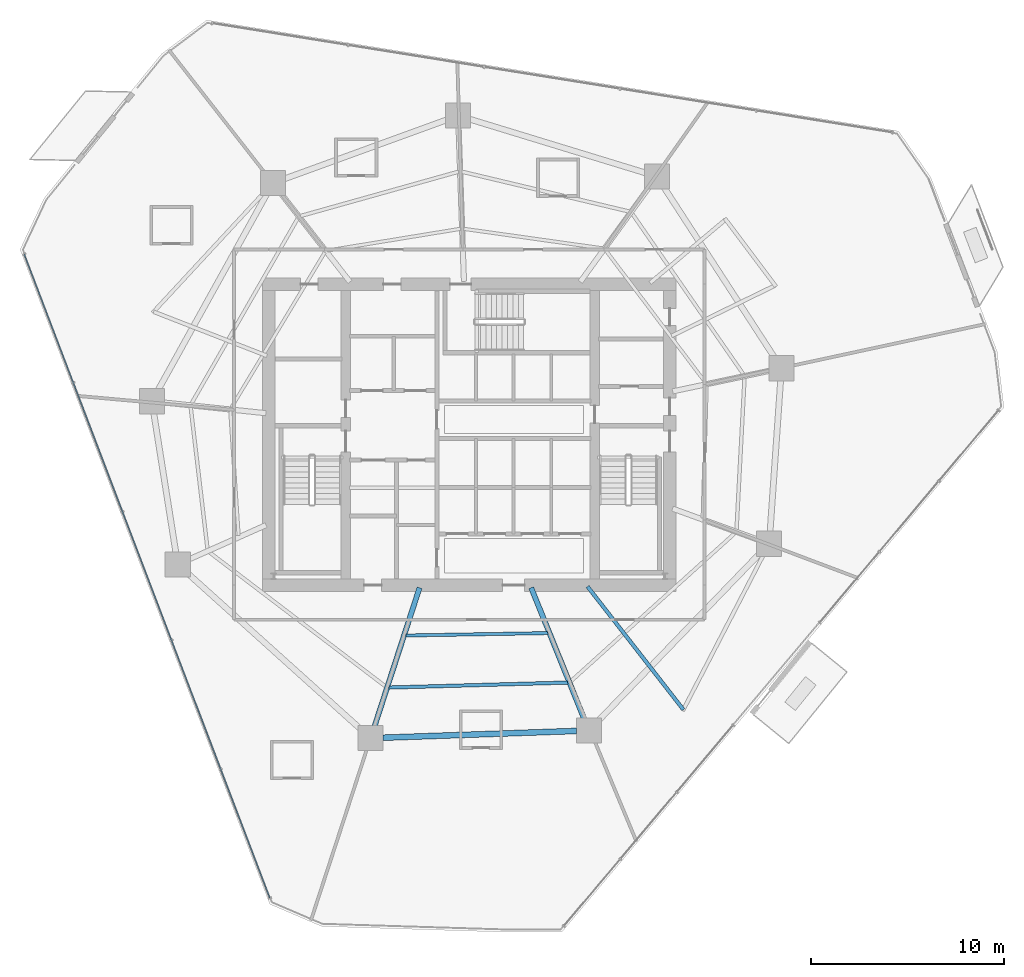
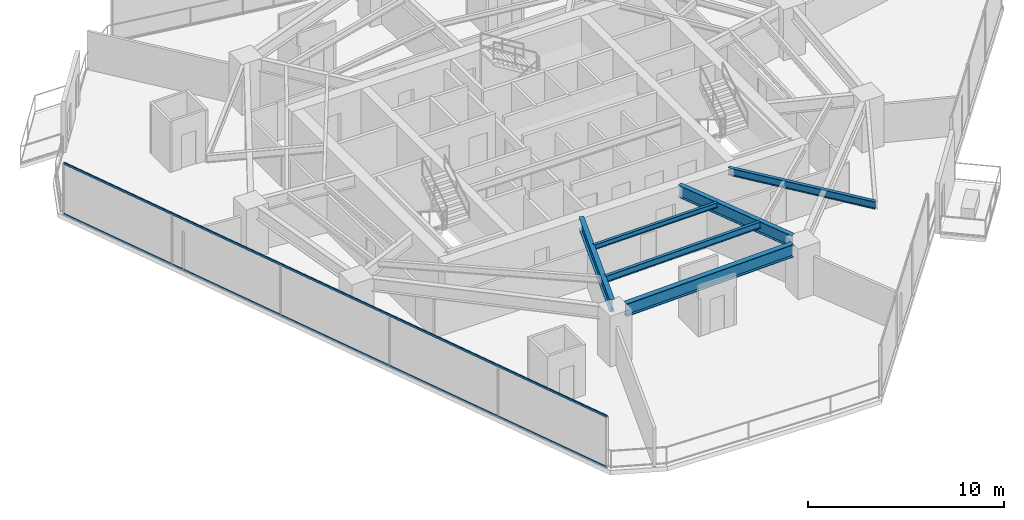
# One storey, part 6 of 31: 6 beams, 2 members, 1 element without a shape of its own.
"""IFC4 building model written with IfcOpenShell, lengths in metres."""

from ifc_helpers import new_model, si_unit, direction, frame, origin, origin_2d, place, context, subcontext, project, spatial, hollow_rectangle, i_section, extrude, material, layer, layer_set, material_profile, profile_set, type_object, element, aggregate, save


model = new_model("IFC4")

# Units and contexts
model_context = context("Model", 3, precision=1e-05, world=origin(), true_north=direction((0.0, 1.0)))
body_context = subcontext(model_context, "Body", "Model", "MODEL_VIEW")
ifc_project = project(units=[si_unit("LENGTHUNIT", "METRE"), si_unit("AREAUNIT", "SQUARE_METRE"), si_unit("VOLUMEUNIT", "CUBIC_METRE"), si_unit("PLANEANGLEUNIT", "RADIAN"), si_unit("MASSUNIT", "GRAM", prefix="KILO")], contexts=[model_context])

# Site, building, storey
site_placement = place(None, origin())
site = spatial("IfcSite", under=ifc_project, at=site_placement, CompositionType="ELEMENT")
building_placement = place(site_placement, origin())
building = spatial("IfcBuilding", under=site, at=building_placement, Name="Qarnah Convention Tower", CompositionType="ELEMENT")
storey_placement = place(building_placement, frame((0.0, 0.0, 33.89990234375)))
storey = spatial("IfcBuildingStorey", under=building, at=storey_placement, Name="L07", CompositionType="ELEMENT", Elevation=33.89990234375)

# Beams
ifc_material_1 = material(Name="Structural steel S355JR", Category="steel")
ifc_material_profile_1 = material_profile(ifc_material_1, i_section(OverallWidth=0.19189453125, OverallDepth=0.464111328125, WebThickness=0.010986328125, FlangeThickness=0.01806640625, at=origin_2d()), Name="W460X89")
ifc_profile_set_1 = profile_set([ifc_material_profile_1], Name="Structural steel S355JR")
beam_type_1 = type_object("IfcBeamType", Name="BM-CANT-W460A", PredefinedType="BEAM", material=ifc_profile_set_1)
beam_1_placement = place(storey_placement, frame((43.3310546875, 18.52099609375, 2.93798828125), z_axis=(0.61429570134, -0.789075909729, 0.0), x_axis=(0.789075909729, 0.61429570134, 0.0)))
element("IfcBeam", 1, at=beam_1_placement, inside=storey, type_object=beam_type_1, Name="L07 beam BM-L07-CNT-03-2", PredefinedType="BEAM", context=body_context, shape_type="SweptSolid", body=[
    extrude(i_section(OverallWidth=0.19189453125, OverallDepth=0.464111328125, WebThickness=0.010986328125, FlangeThickness=0.01806640625, at=origin_2d()), origin(), (0.0, 0.0, 1.0), 8.090576171875),
])
ifc_material_profile_2 = material_profile(ifc_material_1, i_section(OverallWidth=0.166015625, OverallDepth=0.31201171875, WebThickness=0.007080078125, FlangeThickness=0.010986328125, at=origin_2d()), Name="W310X45")
ifc_profile_set_2 = profile_set([ifc_material_profile_2], Name="Structural steel S355JR")
beam_type_2 = type_object("IfcBeamType", Name="BM-JST-W310", PredefinedType="JOIST", material=ifc_profile_set_2)
beam_2_placement = place(storey_placement, frame((33.905029296875, 15.98193359375, 3.01416015625), z_axis=(0.9998536677, 0.017106816955, 0.0), x_axis=(-0.017106816955, 0.9998536677, 0.0)))
element("IfcBeam", 2, at=beam_2_placement, inside=storey, type_object=beam_type_2, Name="L07 joist BM-L07-IJST-07", PredefinedType="JOIST", context=body_context, shape_type="SweptSolid", body=[
    extrude(i_section(OverallWidth=0.166015625, OverallDepth=0.31201171875, WebThickness=0.007080078125, FlangeThickness=0.010986328125, at=origin_2d()), origin(), (0.0, 0.0, 1.0), 7.364013671875),
])
ifc_material_profile_3 = material_profile(ifc_material_1, i_section(OverallWidth=0.177978515625, OverallDepth=0.407958984375, WebThickness=0.008056640625, FlangeThickness=0.012939453125, at=origin_2d()), Name="W410X60")
ifc_profile_set_3 = profile_set([ifc_material_profile_3], Name="Structural steel S355JR")
beam_type_3 = type_object("IfcBeamType", Name="BM-JST-W410", PredefinedType="JOIST", material=ifc_profile_set_3)
beam_3_placement = place(storey_placement, frame((33.027099609375, 13.282958984375, 2.966064453125), z_axis=(0.999610394183, 0.027911643461, 0.0), x_axis=(-0.027911643461, 0.999610394183, 0.0)))
element("IfcBeam", 3, at=beam_3_placement, inside=storey, type_object=beam_type_3, Name="L07 joist BM-L07-SJST-07", PredefinedType="JOIST", context=body_context, shape_type="SweptSolid", body=[
    extrude(i_section(OverallWidth=0.177978515625, OverallDepth=0.407958984375, WebThickness=0.008056640625, FlangeThickness=0.012939453125, at=origin_2d()), origin(), (0.0, 0.0, 1.0), 9.280517578125),
])
ifc_material_profile_4 = material_profile(ifc_material_1, i_section(OverallWidth=0.26806640625, OverallDepth=0.760009765625, WebThickness=0.014892578125, FlangeThickness=0.02197265625, at=origin_2d()), Name="W760X185")
ifc_profile_set_4 = profile_set([ifc_material_profile_4], Name="Structural steel S355JR")
beam_type_4 = type_object("IfcBeamType", Name="BM-RAD-W760", PredefinedType="BEAM", material=ifc_profile_set_4)
beam_4_placement = place(storey_placement, frame((34.6201171875, 18.45703125, 2.7900390625), z_axis=(-0.309057625925, -0.951043313345, 0.0), x_axis=(0.951043313345, -0.309057625925, 0.0)))
element("IfcBeam", 4, at=beam_4_placement, inside=storey, type_object=beam_type_4, Name="L07 beam BM-L07-RAD-07", PredefinedType="BEAM", context=body_context, shape_type="SweptSolid", body=[
    extrude(i_section(OverallWidth=0.26806640625, OverallDepth=0.760009765625, WebThickness=0.014892578125, FlangeThickness=0.02197265625, at=origin_2d()), origin(), (0.0, 0.0, 1.0), 7.568603515625),
])
beam_5_placement = place(storey_placement, frame((40.407958984375, 18.4609375, 2.7900390625), z_axis=(0.374586487969, -0.927191977441, 0.0), x_axis=(0.927191977441, 0.374586487969, 0.0)))
element("IfcBeam", 5, at=beam_5_placement, inside=storey, type_object=beam_type_4, Name="L07 beam BM-L07-RAD-08", PredefinedType="BEAM", context=body_context, shape_type="SweptSolid", body=[
    extrude(i_section(OverallWidth=0.26806640625, OverallDepth=0.760009765625, WebThickness=0.014892578125, FlangeThickness=0.02197265625, at=origin_2d()), origin(), (0.0, 0.0, 1.0), 7.357666015625),
])
ifc_material_profile_5 = material_profile(ifc_material_1, i_section(OverallWidth=0.300048828125, OverallDepth=0.800048828125, WebThickness=0.01806640625, FlangeThickness=0.032958984375, at=origin_2d()), Name="HEB800")
ifc_profile_set_5 = profile_set([ifc_material_profile_5], Name="Structural steel S355JR")
beam_type_5 = type_object("IfcBeamType", Name="BM-RING-HEB800", PredefinedType="BEAM", material=ifc_profile_set_5)
beam_6_placement = place(storey_placement, frame((32.72607421875, 10.681884765625, 2.77001953125), z_axis=(0.999388457365, 0.034967288783, 0.0), x_axis=(-0.034967288783, 0.999388457365, 0.0)))
element("IfcBeam", 6, at=beam_6_placement, inside=storey, type_object=beam_type_5, Name="L07 beam BM-L07-SPN-07", PredefinedType="BEAM", context=body_context, shape_type="SweptSolid", body=[
    extrude(i_section(OverallWidth=0.300048828125, OverallDepth=0.800048828125, WebThickness=0.01806640625, FlangeThickness=0.032958984375, at=origin_2d()), origin(), (0.0, 0.0, 1.0), 10.0400390625),
])

# Curtain wall, members
ifc_material_2 = material(Name="Tempered Low-E dark glass", Category="glass")
ifc_layer = layer(ifc_material_2, 0.16796875)
ifc_layer_set = layer_set([ifc_layer], Name="Tempered Low-E dark glass")
curtain_wall_type = type_object("IfcCurtainWallType", Name="CWS-01", PredefinedType="NOTDEFINED", material=ifc_layer_set)
curtain_wall_placement = place(storey_placement, origin())
curtain_wall = element("IfcCurtainWall", 7, at=curtain_wall_placement, inside=storey, type_object=curtain_wall_type, Name="L07 unitised curtain wall CW-L07-F2", PredefinedType="NOTDEFINED")
ifc_material_3 = material(Name="Black anodised aluminium", Category="aluminium")
ifc_material_profile_6 = material_profile(ifc_material_3, hollow_rectangle(XDim=0.06005859375, YDim=0.1298828125, WallThickness=0.00390625, at=origin_2d()), Name="TRN-60X130")
ifc_profile_set_6 = profile_set([ifc_material_profile_6], Name="Black anodised aluminium")
member_type = type_object("IfcMemberType", Name="TRN-T1", PredefinedType="USERDEFINED", material=ifc_profile_set_6)
member_1_placement = place(storey_placement, frame((26.85791015625, 2.368896484375, 0.0), z_axis=(-0.356410601843, 0.934329429534, 0.0), x_axis=(-0.934329429534, -0.356410601843, 0.0)))
member_1 = element("IfcMember", 8, at=member_1_placement, type_object=member_type, Name="CW-L07-F2 transom 1", ObjectType="TRANSOM", PredefinedType="USERDEFINED", context=body_context, shape_type="SweptSolid", body=[
    extrude(hollow_rectangle(XDim=0.06005859375, YDim=0.1298828125, WallThickness=0.00390625, at=origin_2d()), origin(), (0.0, 0.0, 1.0), 35.739013671875),
])
member_2_placement = place(storey_placement, frame((26.85791015625, 2.368896484375, 3.170166015625), z_axis=(-0.356410601843, 0.934329429534, 0.0), x_axis=(-0.934329429534, -0.356410601843, 0.0)))
member_2 = element("IfcMember", 9, at=member_2_placement, type_object=member_type, Name="CW-L07-F2 transom 2", ObjectType="TRANSOM", PredefinedType="USERDEFINED", context=body_context, shape_type="SweptSolid", body=[
    extrude(hollow_rectangle(XDim=0.06005859375, YDim=0.1298828125, WallThickness=0.00390625, at=origin_2d()), origin(), (0.0, 0.0, 1.0), 35.739013671875),
])
aggregate(curtain_wall, [member_1, member_2])

save(model, "model.ifc")
